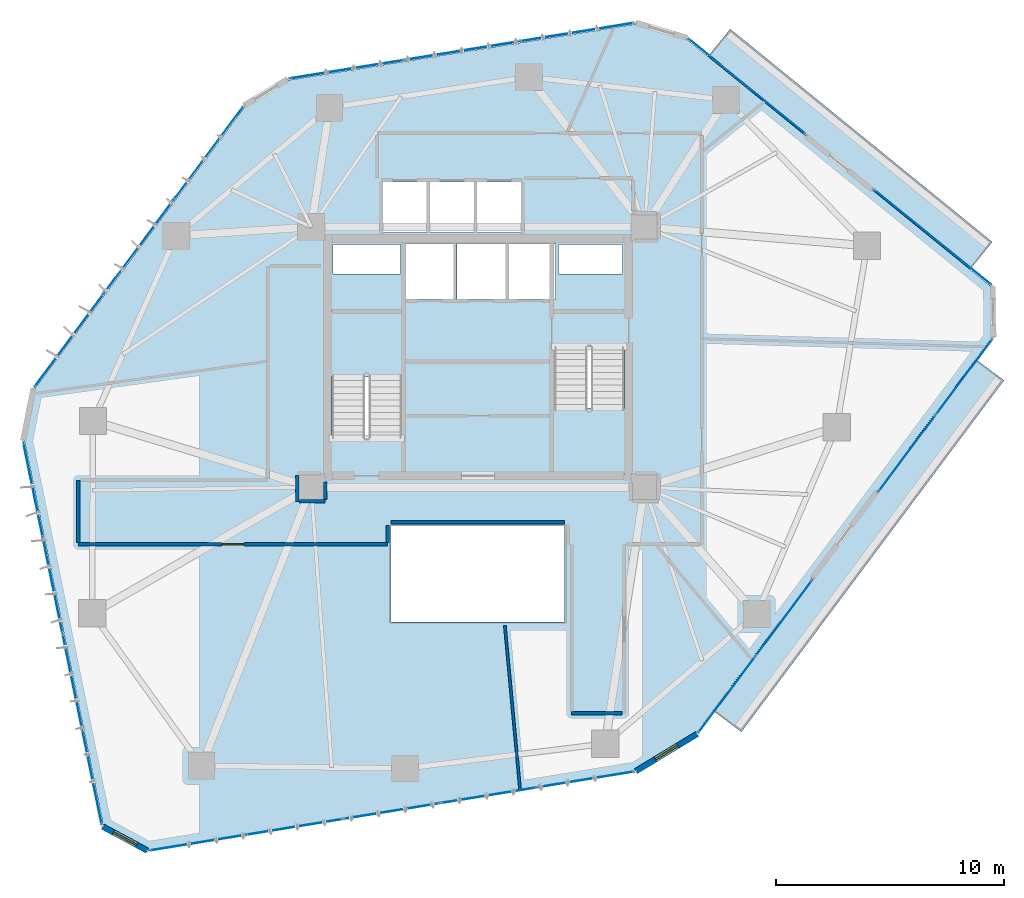
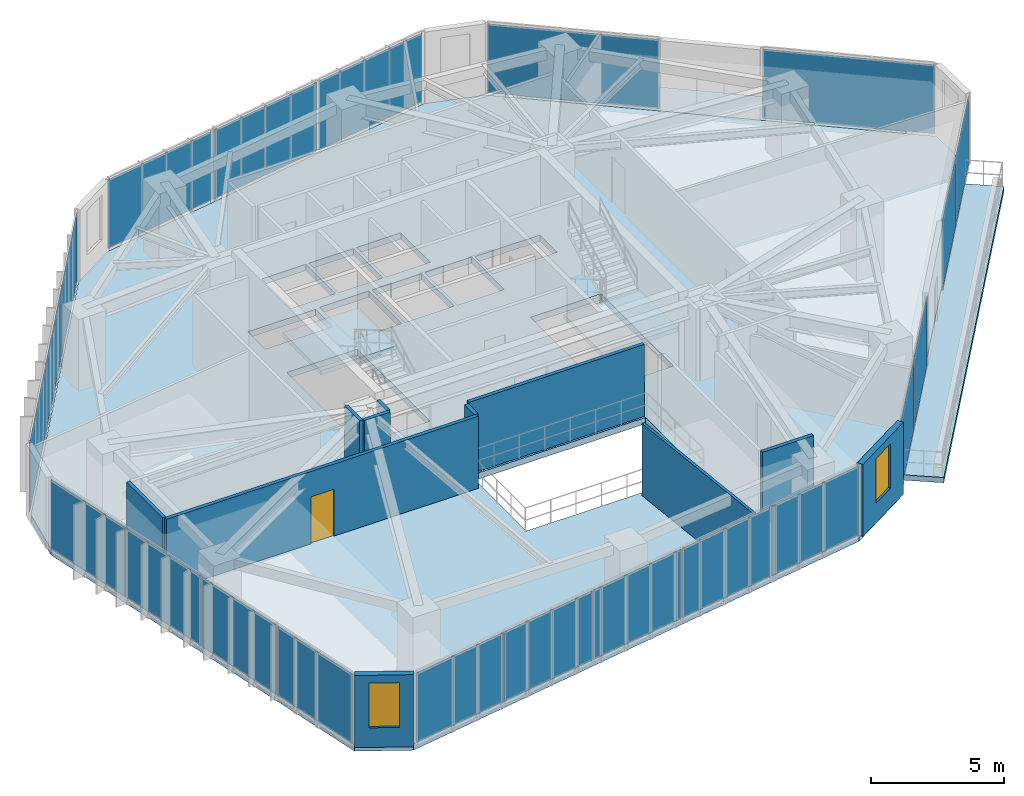
# One storey, part 17 of 23: 21 plates, 11 walls, 5 slabs, 2 windows, 1 door, 3 openings, 10 elements without a shape of their own.
"""IFC4 building model written with IfcOpenShell, lengths in metres."""

from ifc_helpers import new_model, si_unit, direction, frame, frame_2d, origin, origin_2d, place, context, subcontext, project, spatial, polyline, rectangle, outline, extrude, source, transform, mapped, material, layer, layer_set, type_object, type_shapes, element, fill, aggregate, save


model = new_model("IFC4")

# Units and contexts
model_context = context("Model", 3, precision=1e-05, world=origin(), true_north=direction((0.0, 1.0)))
body_context = subcontext(model_context, "Body", "Model", "MODEL_VIEW")
ifc_project = project(units=[si_unit("LENGTHUNIT", "METRE"), si_unit("AREAUNIT", "SQUARE_METRE"), si_unit("VOLUMEUNIT", "CUBIC_METRE"), si_unit("PLANEANGLEUNIT", "RADIAN"), si_unit("MASSUNIT", "GRAM", prefix="KILO")], contexts=[model_context])

# Site, building, storey
site_placement = place(None, origin())
site = spatial("IfcSite", under=ifc_project, at=site_placement, CompositionType="ELEMENT")
building_placement = place(site_placement, origin())
building = spatial("IfcBuilding", under=site, at=building_placement, Name="Talar Marvaseh", CompositionType="ELEMENT")
storey_placement = place(building_placement, frame((0.0, 0.0, 118.199951171875)))
storey = spatial("IfcBuildingStorey", under=building, at=storey_placement, Name="L30", CompositionType="ELEMENT", Elevation=118.199951171875)

# Slabs
ifc_material_1 = material(Name="Concrete C40/50", Category="concrete")
ifc_layer_1 = layer(ifc_material_1, 0.2451171875)
ifc_layer_set_1 = layer_set([ifc_layer_1], Name="Concrete C40/50")
slab_type_1 = type_object("IfcSlabType", Name="External Cantilevered Planted Terrace Slab 245", PredefinedType="FLOOR", material=ifc_layer_set_1)
slab_1_placement = place(storey_placement, frame((0.0, 0.0, -0.244873046875)))
element("IfcSlab", 1, at=slab_1_placement, inside=storey, type_object=slab_type_1, Name="L30 Planted Balcony Terrace 1", PredefinedType="FLOOR", context=body_context, shape_type="SweptSolid", body=[
    extrude(outline(polyline([(36.076171875, 44.37060546875), (47.555908203125, 35.042724609375), (48.533203125, 36.24560546875), (37.0537109375, 45.57373046875), (36.076171875, 44.37060546875)])), origin(), (0.0, 0.0, 1.0), 0.244873046875),
])
slab_2_placement = place(storey_placement, frame((0.0, 0.0, -0.244873046875)))
element("IfcSlab", 2, at=slab_2_placement, inside=storey, type_object=slab_type_1, Name="L30 Planted Balcony Terrace 2", PredefinedType="FLOOR", context=body_context, shape_type="SweptSolid", body=[
    extrude(outline(polyline([(47.80078125, 31.1083984375), (36.300048828125, 15.7119140625), (37.541748046875, 14.7841796875), (49.042724609375, 30.1806640625), (47.80078125, 31.1083984375)])), origin(), (0.0, 0.0, 1.0), 0.244873046875),
])

# Stair, slab
stair_type = type_object("IfcStairType", Name="Reinforced Concrete Half-Turn Exit Stair Type B", PredefinedType="HALF_TURN_STAIR", material=ifc_material_1)
stair_1_placement = place(storey_placement, origin())
stair_1 = element("IfcStair", 3, at=stair_1_placement, inside=storey, type_object=stair_type, Name="L30 Tower West Core Exit Stair", PredefinedType="HALF_TURN_STAIR")
ifc_layer_2 = layer(ifc_material_1, 0.199951171875)
ifc_layer_set_2 = layer_set([ifc_layer_2], Name="Concrete C40/50")
slab_type_2 = type_object("IfcSlabType", Name="Reinforced Concrete Stair Half-Landing Slab 200", PredefinedType="LANDING", material=ifc_layer_set_2)
slab_3_placement = place(storey_placement, frame((0.0, 0.0, 1.60009765625)))
slab_3 = element("IfcSlab", 4, at=slab_3_placement, type_object=slab_type_2, Name="ST-1 landing 1", PredefinedType="LANDING", context=body_context, shape_type="SweptSolid", body=[
    extrude(outline(polyline([(22.780029296875, 30.330078125), (22.780029296875, 33.219970703125), (19.47998046875, 33.219970703125), (19.47998046875, 30.330078125), (22.780029296875, 30.330078125)])), origin(), (0.0, 0.0, 1.0), 0.199951171875),
])
aggregate(stair_1, [slab_3])

stair_2_placement = place(storey_placement, origin())
stair_2 = element("IfcStair", 5, at=stair_2_placement, inside=storey, type_object=stair_type, Name="L30 Tower East Core Exit Stair", PredefinedType="HALF_TURN_STAIR")
slab_4_placement = place(storey_placement, frame((0.0, 0.0, 1.60009765625)))
slab_4 = element("IfcSlab", 6, at=slab_4_placement, type_object=slab_type_2, Name="ST-2 landing 1", PredefinedType="LANDING", context=body_context, shape_type="SweptSolid", body=[
    extrude(outline(polyline([(29.219970703125, 28.969970703125), (29.219970703125, 26.080078125), (32.52001953125, 26.080078125), (32.52001953125, 28.969970703125), (29.219970703125, 28.969970703125)])), origin(), (0.0, 0.0, 1.0), 0.199951171875),
])
aggregate(stair_2, [slab_4])

# Slab
ifc_layer_3 = layer(ifc_material_1, 0.2900390625)
ifc_layer_set_3 = layer_set([ifc_layer_3], Name="Concrete C40/50")
slab_type_3 = type_object("IfcSlabType", Name="Structural Suspended Floor Slab 290", PredefinedType="FLOOR", material=ifc_layer_set_3)
slab_5_placement = place(storey_placement, frame((0.0, 0.0, -0.2900390625)))
element("IfcSlab", 7, at=slab_5_placement, inside=storey, type_object=slab_type_3, Name="L30 Tower Floor Slab", PredefinedType="FLOOR", context=body_context, shape_type="SweptSolid", body=[
    extrude(outline(polyline([(11.548583984375, 9.635498046875), (9.597412109375, 10.68701171875), (6.1416015625, 27.52783203125), (6.59326171875, 29.82470703125), (15.786865234375, 42.1669921875), (17.706298828125, 43.33154296875), (32.899169921875, 45.787353515625), (35.14501953125, 45.12744140625), (48.487060546875, 34.285888671875), (48.51904296875, 32.069580078125), (35.581787109375, 14.75048828125), (32.884521484375, 13.113525390625), (11.548583984375, 9.635498046875)]), holes=[polyline([(22.659912109375, 27.64990234375), (22.659912109375, 33.10009765625), (19.60009765625, 33.10009765625), (19.60009765625, 27.64990234375), (22.659912109375, 27.64990234375)]), polyline([(29.340087890625, 31.64990234375), (29.340087890625, 26.199951171875), (32.39990234375, 26.199951171875), (32.39990234375, 31.64990234375), (29.340087890625, 31.64990234375)]), polyline([(22.800048828125, 33.719970703125), (24.93994140625, 33.719970703125), (24.93994140625, 36.179931640625), (22.800048828125, 36.179931640625), (22.800048828125, 33.719970703125)]), polyline([(25.080078125, 33.719970703125), (27.219970703125, 33.719970703125), (27.219970703125, 36.179931640625), (25.080078125, 36.179931640625), (25.080078125, 33.719970703125)]), polyline([(27.360107421875, 33.719970703125), (29.39990234375, 33.719970703125), (29.39990234375, 36.179931640625), (27.360107421875, 36.179931640625), (27.360107421875, 33.719970703125)]), polyline([(21.840087890625, 36.659912109375), (23.760009765625, 36.659912109375), (23.760009765625, 38.8798828125), (21.840087890625, 38.8798828125), (21.840087890625, 36.659912109375)]), polyline([(23.89990234375, 36.659912109375), (25.820068359375, 36.659912109375), (25.820068359375, 38.8798828125), (23.89990234375, 38.8798828125), (23.89990234375, 36.659912109375)]), polyline([(25.9599609375, 36.659912109375), (27.8798828125, 36.659912109375), (27.8798828125, 38.8798828125), (25.9599609375, 38.8798828125), (25.9599609375, 36.659912109375)]), polyline([(19.659912109375, 34.840087890625), (22.60009765625, 34.840087890625), (22.60009765625, 36.139892578125), (19.659912109375, 36.139892578125), (19.659912109375, 34.840087890625)]), polyline([(29.52001953125, 34.840087890625), (32.340087890625, 34.840087890625), (32.340087890625, 36.139892578125), (29.52001953125, 36.139892578125), (29.52001953125, 34.840087890625)]), polyline([(22.199951171875, 19.60009765625), (29.800048828125, 19.60009765625), (29.800048828125, 23.800048828125), (22.199951171875, 23.800048828125), (22.199951171875, 19.60009765625)])]), origin(), (0.0, 0.0, 1.0), 0.2900390625),
])

# Curtain wall, plates
ifc_material_2 = material(Name="Architectural Aluminium", Category="aluminium")
ifc_layer_4 = layer(ifc_material_2, 0.199951171875)
ifc_layer_set_4 = layer_set([ifc_layer_4], Name="Architectural Aluminium")
curtain_wall_type = type_object("IfcCurtainWallType", Name="Unitised Acoustic Library Curtain Wall Z2", PredefinedType="NOTDEFINED", material=ifc_layer_set_4)
curtain_wall_1_placement = place(storey_placement, origin())
curtain_wall_1 = element("IfcCurtainWall", 8, at=curtain_wall_1_placement, inside=storey, type_object=curtain_wall_type, Name="L30 Unitised Acoustic Library Curtain Wall Z2", PredefinedType="NOTDEFINED")
ifc_material_3 = material(Name="Laminated Low-E Solar Glass", Category="glass")
ifc_layer_5 = layer(ifc_material_3, 0.028076171875)
ifc_layer_set_5 = layer_set([ifc_layer_5], Name="Laminated Low-E Solar Glass")
plate_type = type_object("IfcPlateType", Name="Double-Glazed Low-E Vision Curtain Panel 28", PredefinedType="CURTAIN_PANEL", material=ifc_layer_set_5)
shared_shape_1 = source(origin(), body_context, "Body", "SweptSolid", [
    extrude(rectangle(XDim=4.185302734375, YDim=0.028076171875, at=origin_2d()), origin(), (0.0, 0.0, 1.0), 3.159912109375),
])
plate_1_placement = place(storey_placement, frame((9.102783203125, 12.79833984375, 0.0751953125), z_axis=(0.0, 0.0, 1.0), x_axis=(-0.201010983182, 0.979588987607, 0.0)))
plate_1 = element("IfcPlate", 9, at=plate_1_placement, type_object=plate_type, Name="CW-Z2 panel 1.1", PredefinedType="CURTAIN_PANEL", context=body_context, shape_type="MappedRepresentation", body=[
    mapped(shared_shape_1, transform((0.0, 0.0, 0.0), x_axis=(1.0, 0.0, 0.0), y_axis=(0.0, 1.0, 0.0), z_axis=(0.0, 0.0, 1.0), scale=1.0)),
])
plate_2_placement = place(storey_placement, frame((6.5185546875, 25.392333984375, 0.0751953125), z_axis=(0.0, 0.0, 1.0), x_axis=(-0.201010983182, 0.979588987607, 0.0)))
plate_2 = element("IfcPlate", 10, at=plate_2_placement, type_object=plate_type, Name="CW-Z2 panel 4.1", PredefinedType="CURTAIN_PANEL", context=body_context, shape_type="MappedRepresentation", body=[
    mapped(shared_shape_1, transform((0.0, 0.0, 0.0), x_axis=(1.0, 0.0, 0.0), y_axis=(0.0, 1.0, 0.0), z_axis=(0.0, 0.0, 1.0), scale=1.0)),
])
shared_shape_2 = source(origin(), body_context, "Body", "SweptSolid", [
    extrude(rectangle(XDim=4.222900390625, YDim=0.028076171875, at=origin_2d()), origin(), (0.0, 0.0, 1.0), 3.159912109375),
])
plate_3_placement = place(storey_placement, frame((8.24267578125, 16.990234375, 0.0751953125), z_axis=(0.0, 0.0, 1.0), x_axis=(-0.201010983182, 0.979588987607, 0.0)))
plate_3 = element("IfcPlate", 11, at=plate_3_placement, type_object=plate_type, Name="CW-Z2 panel 2.1", PredefinedType="CURTAIN_PANEL", context=body_context, shape_type="MappedRepresentation", body=[
    mapped(shared_shape_2, transform((0.0, 0.0, 0.0), x_axis=(1.0, 0.0, 0.0), y_axis=(0.0, 1.0, 0.0), z_axis=(0.0, 0.0, 1.0), scale=1.0)),
])
plate_4_placement = place(storey_placement, frame((7.378662109375, 21.200439453125, 0.0751953125), z_axis=(0.0, 0.0, 1.0), x_axis=(-0.201010983182, 0.979588987607, 0.0)))
plate_4 = element("IfcPlate", 12, at=plate_4_placement, type_object=plate_type, Name="CW-Z2 panel 3.1", PredefinedType="CURTAIN_PANEL", context=body_context, shape_type="MappedRepresentation", body=[
    mapped(shared_shape_2, transform((0.0, 0.0, 0.0), x_axis=(1.0, 0.0, 0.0), y_axis=(0.0, 1.0, 0.0), z_axis=(0.0, 0.0, 1.0), scale=1.0)),
])
aggregate(curtain_wall_1, [plate_1, plate_3, plate_4, plate_2])

curtain_wall_2_placement = place(storey_placement, origin())
curtain_wall_2 = element("IfcCurtainWall", 13, at=curtain_wall_2_placement, inside=storey, type_object=curtain_wall_type, Name="L30 Unitised Acoustic Library Curtain Wall Z2", PredefinedType="NOTDEFINED")
shared_shape_3 = source(origin(), body_context, "Body", "SweptSolid", [
    extrude(rectangle(XDim=5.017578125, YDim=0.028076171875, at=origin_2d()), origin(), (0.0, 0.0, 1.0), 3.159912109375),
])
plate_5_placement = place(storey_placement, frame((8.088623046875, 31.932373046875, 0.0751953125), z_axis=(0.0, 0.0, 1.0), x_axis=(0.597375881697, 0.801961380596, 0.0)))
plate_5 = element("IfcPlate", 14, at=plate_5_placement, type_object=plate_type, Name="CW-Z2 panel 1.1", PredefinedType="CURTAIN_PANEL", context=body_context, shape_type="MappedRepresentation", body=[
    mapped(shared_shape_3, transform((0.0, 0.0, 0.0), x_axis=(1.0, 0.0, 0.0), y_axis=(0.0, 1.0, 0.0), z_axis=(0.0, 0.0, 1.0), scale=1.0)),
])
plate_6_placement = place(storey_placement, frame((14.1953125, 40.130615234375, 0.0751953125), z_axis=(0.0, 0.0, 1.0), x_axis=(0.597375881697, 0.801961380596, 0.0)))
plate_6 = element("IfcPlate", 15, at=plate_6_placement, type_object=plate_type, Name="CW-Z2 panel 3.1", PredefinedType="CURTAIN_PANEL", context=body_context, shape_type="MappedRepresentation", body=[
    mapped(shared_shape_3, transform((0.0, 0.0, 0.0), x_axis=(1.0, 0.0, 0.0), y_axis=(0.0, 1.0, 0.0), z_axis=(0.0, 0.0, 1.0), scale=1.0)),
])

curtain_wall_3_placement = place(storey_placement, origin())
curtain_wall_3 = element("IfcCurtainWall", 16, at=curtain_wall_3_placement, inside=storey, type_object=curtain_wall_type, Name="L30 Unitised Acoustic Library Curtain Wall Z2", PredefinedType="NOTDEFINED")
plate_7_placement = place(storey_placement, frame((20.247314453125, 43.802978515625, 0.0751953125), z_axis=(0.0, 0.0, 1.0), x_axis=(0.987186597079, 0.159570117963, 0.0)))
plate_7 = element("IfcPlate", 17, at=plate_7_placement, type_object=plate_type, Name="CW-Z2 panel 1.1", PredefinedType="CURTAIN_PANEL", context=body_context, shape_type="MappedRepresentation", body=[
    mapped(shared_shape_3, transform((0.0, 0.0, 0.0), x_axis=(1.0, 0.0, 0.0), y_axis=(0.0, 1.0, 0.0), z_axis=(0.0, 0.0, 1.0), scale=1.0)),
])
plate_8_placement = place(storey_placement, frame((30.3388671875, 45.434326171875, 0.0751953125), z_axis=(0.0, 0.0, 1.0), x_axis=(0.987186597079, 0.159570117963, 0.0)))
plate_8 = element("IfcPlate", 18, at=plate_8_placement, type_object=plate_type, Name="CW-Z2 panel 3.1", PredefinedType="CURTAIN_PANEL", context=body_context, shape_type="MappedRepresentation", body=[
    mapped(shared_shape_3, transform((0.0, 0.0, 0.0), x_axis=(1.0, 0.0, 0.0), y_axis=(0.0, 1.0, 0.0), z_axis=(0.0, 0.0, 1.0), scale=1.0)),
])

# Plate
shared_shape_4 = source(origin(), body_context, "Body", "SweptSolid", [
    extrude(rectangle(XDim=5.054931640625, YDim=0.028076171875, at=origin_2d()), origin(), (0.0, 0.0, 1.0), 3.159912109375),
])
plate_9_placement = place(storey_placement, frame((11.141845703125, 36.031494140625, 0.0751953125), z_axis=(0.0, 0.0, 1.0), x_axis=(0.597375881697, 0.801961380596, 0.0)))
plate_9 = element("IfcPlate", 19, at=plate_9_placement, type_object=plate_type, Name="CW-Z2 panel 2.1", PredefinedType="CURTAIN_PANEL", context=body_context, shape_type="MappedRepresentation", body=[
    mapped(shared_shape_4, transform((0.0, 0.0, 0.0), x_axis=(1.0, 0.0, 0.0), y_axis=(0.0, 1.0, 0.0), z_axis=(0.0, 0.0, 1.0), scale=1.0)),
])

aggregate(curtain_wall_2, [plate_5, plate_9, plate_6])

plate_10_placement = place(storey_placement, frame((25.29296875, 44.61865234375, 0.0751953125), z_axis=(0.0, 0.0, 1.0), x_axis=(0.987186597079, 0.159570117963, 0.0)))
plate_10 = element("IfcPlate", 20, at=plate_10_placement, type_object=plate_type, Name="CW-Z2 panel 2.1", PredefinedType="CURTAIN_PANEL", context=body_context, shape_type="MappedRepresentation", body=[
    mapped(shared_shape_4, transform((0.0, 0.0, 0.0), x_axis=(1.0, 0.0, 0.0), y_axis=(0.0, 1.0, 0.0), z_axis=(0.0, 0.0, 1.0), scale=1.0)),
])

aggregate(curtain_wall_3, [plate_7, plate_10, plate_8])

# Curtain wall, plates
curtain_wall_4_placement = place(storey_placement, origin())
curtain_wall_4 = element("IfcCurtainWall", 21, at=curtain_wall_4_placement, inside=storey, type_object=curtain_wall_type, Name="L30 Unitised Acoustic Library Curtain Wall Z2", PredefinedType="NOTDEFINED")
shared_shape_5 = source(origin(), body_context, "Body", "SweptSolid", [
    extrude(rectangle(XDim=4.2109375, YDim=0.028076171875, at=origin_2d()), origin(), (0.0, 0.0, 1.0), 3.159912109375),
])
plate_11_placement = place(storey_placement, frame((30.7421875, 12.70361328125, 0.0751953125), z_axis=(0.0, 0.0, 1.0), x_axis=(-0.986972050283, -0.160891802029, 0.0)))
plate_11 = element("IfcPlate", 22, at=plate_11_placement, type_object=plate_type, Name="CW-Z2 panel 1.1", PredefinedType="CURTAIN_PANEL", context=body_context, shape_type="MappedRepresentation", body=[
    mapped(shared_shape_5, transform((0.0, 0.0, 0.0), x_axis=(1.0, 0.0, 0.0), y_axis=(0.0, 1.0, 0.0), z_axis=(0.0, 0.0, 1.0), scale=1.0)),
])
plate_12_placement = place(storey_placement, frame((13.710205078125, 9.92724609375, 0.0751953125), z_axis=(0.0, 0.0, 1.0), x_axis=(-0.986972050283, -0.160891802029, 0.0)))
plate_12 = element("IfcPlate", 23, at=plate_12_placement, type_object=plate_type, Name="CW-Z2 panel 5.1", PredefinedType="CURTAIN_PANEL", context=body_context, shape_type="MappedRepresentation", body=[
    mapped(shared_shape_5, transform((0.0, 0.0, 0.0), x_axis=(1.0, 0.0, 0.0), y_axis=(0.0, 1.0, 0.0), z_axis=(0.0, 0.0, 1.0), scale=1.0)),
])
shared_shape_6 = source(origin(), body_context, "Body", "SweptSolid", [
    extrude(rectangle(XDim=4.24853515625, YDim=0.028076171875, at=origin_2d()), origin(), (0.0, 0.0, 1.0), 3.159912109375),
])
plate_13_placement = place(storey_placement, frame((26.493408203125, 12.010986328125, 0.0751953125), z_axis=(0.0, 0.0, 1.0), x_axis=(-0.986972050283, -0.160891802029, 0.0)))
plate_13 = element("IfcPlate", 24, at=plate_13_placement, type_object=plate_type, Name="CW-Z2 panel 2.1", PredefinedType="CURTAIN_PANEL", context=body_context, shape_type="MappedRepresentation", body=[
    mapped(shared_shape_6, transform((0.0, 0.0, 0.0), x_axis=(1.0, 0.0, 0.0), y_axis=(0.0, 1.0, 0.0), z_axis=(0.0, 0.0, 1.0), scale=1.0)),
])
plate_14_placement = place(storey_placement, frame((22.226318359375, 11.3154296875, 0.0751953125), z_axis=(0.0, 0.0, 1.0), x_axis=(-0.986972050283, -0.160891802029, 0.0)))
plate_14 = element("IfcPlate", 25, at=plate_14_placement, type_object=plate_type, Name="CW-Z2 panel 3.1", PredefinedType="CURTAIN_PANEL", context=body_context, shape_type="MappedRepresentation", body=[
    mapped(shared_shape_6, transform((0.0, 0.0, 0.0), x_axis=(1.0, 0.0, 0.0), y_axis=(0.0, 1.0, 0.0), z_axis=(0.0, 0.0, 1.0), scale=1.0)),
])
plate_15_placement = place(storey_placement, frame((17.958984375, 10.61962890625, 0.0751953125), z_axis=(0.0, 0.0, 1.0), x_axis=(-0.986972050283, -0.160891802029, 0.0)))
plate_15 = element("IfcPlate", 26, at=plate_15_placement, type_object=plate_type, Name="CW-Z2 panel 4.1", PredefinedType="CURTAIN_PANEL", context=body_context, shape_type="MappedRepresentation", body=[
    mapped(shared_shape_6, transform((0.0, 0.0, 0.0), x_axis=(1.0, 0.0, 0.0), y_axis=(0.0, 1.0, 0.0), z_axis=(0.0, 0.0, 1.0), scale=1.0)),
])
aggregate(curtain_wall_4, [plate_11, plate_13, plate_14, plate_15, plate_12])

curtain_wall_5_placement = place(storey_placement, origin())
curtain_wall_5 = element("IfcCurtainWall", 27, at=curtain_wall_5_placement, inside=storey, type_object=curtain_wall_type, Name="L30 Unitised Acoustic Library Curtain Wall Z2", PredefinedType="NOTDEFINED")
shared_shape_7 = source(origin(), body_context, "Body", "SweptSolid", [
    extrude(rectangle(XDim=4.10302734375, YDim=0.028076171875, at=origin_2d()), origin(), (0.0, 0.0, 1.0), 3.159912109375),
])
plate_16_placement = place(storey_placement, frame((47.29443359375, 30.330078125, 0.0751953125), z_axis=(0.0, 0.0, 1.0), x_axis=(-0.598452190193, -0.801158521176, 0.0)))
plate_16 = element("IfcPlate", 28, at=plate_16_placement, type_object=plate_type, Name="CW-Z2 panel 1.1", PredefinedType="CURTAIN_PANEL", context=body_context, shape_type="MappedRepresentation", body=[
    mapped(shared_shape_7, transform((0.0, 0.0, 0.0), x_axis=(1.0, 0.0, 0.0), y_axis=(0.0, 1.0, 0.0), z_axis=(0.0, 0.0, 1.0), scale=1.0)),
])
plate_17_placement = place(storey_placement, frame((44.794189453125, 26.98291015625, 0.0751953125), z_axis=(0.0, 0.0, 1.0), x_axis=(-0.598452190193, -0.801158521176, 0.0)))
plate_17 = element("IfcPlate", 29, at=plate_17_placement, type_object=plate_type, Name="CW-Z2 panel 2.1", PredefinedType="CURTAIN_PANEL", context=body_context, shape_type="MappedRepresentation", body=[
    mapped(shared_shape_7, transform((0.0, 0.0, 0.0), x_axis=(1.0, 0.0, 0.0), y_axis=(0.0, 1.0, 0.0), z_axis=(0.0, 0.0, 1.0), scale=1.0)),
])
aggregate(curtain_wall_5, [plate_16, plate_17])

curtain_wall_6_placement = place(storey_placement, origin())
curtain_wall_6 = element("IfcCurtainWall", 30, at=curtain_wall_6_placement, inside=storey, type_object=curtain_wall_type, Name="L30 Unitised Acoustic Library Curtain Wall Z2", PredefinedType="NOTDEFINED")
plate_18_placement = place(storey_placement, frame((39.40283203125, 19.765380859375, 0.0751953125), z_axis=(0.0, 0.0, 1.0), x_axis=(-0.598452190193, -0.801158521176, 0.0)))
plate_18 = element("IfcPlate", 31, at=plate_18_placement, type_object=plate_type, Name="CW-Z2 panel 1.1", PredefinedType="CURTAIN_PANEL", context=body_context, shape_type="MappedRepresentation", body=[
    mapped(shared_shape_7, transform((0.0, 0.0, 0.0), x_axis=(1.0, 0.0, 0.0), y_axis=(0.0, 1.0, 0.0), z_axis=(0.0, 0.0, 1.0), scale=1.0)),
])
plate_19_placement = place(storey_placement, frame((36.902587890625, 16.418212890625, 0.0751953125), z_axis=(0.0, 0.0, 1.0), x_axis=(-0.598452190193, -0.801158521176, 0.0)))
plate_19 = element("IfcPlate", 32, at=plate_19_placement, type_object=plate_type, Name="CW-Z2 panel 2.1", PredefinedType="CURTAIN_PANEL", context=body_context, shape_type="MappedRepresentation", body=[
    mapped(shared_shape_7, transform((0.0, 0.0, 0.0), x_axis=(1.0, 0.0, 0.0), y_axis=(0.0, 1.0, 0.0), z_axis=(0.0, 0.0, 1.0), scale=1.0)),
])
aggregate(curtain_wall_6, [plate_18, plate_19])

# Curtain wall, plate
curtain_wall_7_placement = place(storey_placement, origin())
curtain_wall_7 = element("IfcCurtainWall", 33, at=curtain_wall_7_placement, inside=storey, type_object=curtain_wall_type, Name="L30 Unitised Acoustic Library Curtain Wall Z2", PredefinedType="NOTDEFINED")
shared_shape_8 = source(origin(), body_context, "Body", "SweptSolid", [
    extrude(rectangle(XDim=6.5546875, YDim=0.028076171875, at=origin_2d()), origin(), (0.0, 0.0, 1.0), 3.159912109375),
])
type_shapes(plate_type, [shared_shape_1, shared_shape_2, shared_shape_3, shared_shape_4, shared_shape_5, shared_shape_6, shared_shape_7, shared_shape_8])
plate_20_placement = place(storey_placement, frame((37.784423828125, 43.06005859375, 0.0751953125), z_axis=(0.0, 0.0, 1.0), x_axis=(0.776087995183, -0.630624629818, 0.0)))
plate_20 = element("IfcPlate", 34, at=plate_20_placement, type_object=plate_type, Name="CW-Z2 panel 1.1", PredefinedType="CURTAIN_PANEL", context=body_context, shape_type="MappedRepresentation", body=[
    mapped(shared_shape_8, transform((0.0, 0.0, 0.0), x_axis=(1.0, 0.0, 0.0), y_axis=(0.0, 1.0, 0.0), z_axis=(0.0, 0.0, 1.0), scale=1.0)),
])
aggregate(curtain_wall_7, [plate_20])

curtain_wall_8_placement = place(storey_placement, origin())
curtain_wall_8 = element("IfcCurtainWall", 35, at=curtain_wall_8_placement, inside=storey, type_object=curtain_wall_type, Name="L30 Unitised Acoustic Library Curtain Wall Z2", PredefinedType="NOTDEFINED")
plate_21_placement = place(storey_placement, frame((45.923095703125, 36.44677734375, 0.0751953125), z_axis=(0.0, 0.0, 1.0), x_axis=(0.776087995183, -0.630624629818, 0.0)))
plate_21 = element("IfcPlate", 36, at=plate_21_placement, type_object=plate_type, Name="CW-Z2 panel 1.1", PredefinedType="CURTAIN_PANEL", context=body_context, shape_type="MappedRepresentation", body=[
    mapped(shared_shape_8, transform((0.0, 0.0, 0.0), x_axis=(1.0, 0.0, 0.0), y_axis=(0.0, 1.0, 0.0), z_axis=(0.0, 0.0, 1.0), scale=1.0)),
])
aggregate(curtain_wall_8, [plate_21])

# Wall, opening, window
ifc_material_4 = material(Name="Precast concrete C45/55", Category="concrete")
ifc_layer_6 = layer(ifc_material_4, 0.2548828125)
ifc_layer_set_6 = layer_set([ifc_layer_6], Name="Precast concrete C45/55")
wall_type_1 = type_object("IfcWallType", Name="Chamfered Hexagonal Corner Pier Wall Z2 255", PredefinedType="SOLIDWALL", material=ifc_layer_set_6)
wall_1_placement = place(storey_placement, frame((11.52001953125, 9.582763671875, 0.0), z_axis=(0.0, 0.0, 1.0), x_axis=(-0.88030481289, 0.474408512152, 0.0)))
wall_1 = element("IfcWall", 37, at=wall_1_placement, inside=storey, type_object=wall_type_1, Name="L30 Chamfered Corner Limestone Pier 1", PredefinedType="SOLIDWALL", context=body_context, shape_type="SweptSolid", body=[
    extrude(rectangle(XDim=2.216552734375, YDim=0.2548828125, at=frame_2d((1.1083984375, 0.0))), origin(), (0.0, 0.0, 1.0), 3.31005859375),
])
opening_1_placement = place(wall_1_placement, frame((0.532958984375, 0.0, 0.89990234375)))
opening_1 = element("IfcOpeningElement", 38, at=opening_1_placement, cuts=wall_1, Name="Opening WN-CHM11", PredefinedType="OPENING", context=body_context, shape_type="SweptSolid", body=[
    extrude(rectangle(XDim=1.14990234375, YDim=2.050048828125, at=frame_2d((0.574951171875, 1.02490234375))), frame((0.0, 0.137451171875, 0.0), z_axis=(0.0, -1.0, 0.0), x_axis=(1.0, 0.0, 0.0)), (0.0, 0.0, 1.0), 0.27490234375),
])
window_type = type_object("IfcWindowType", Name="Zone 2 Chamfered Corner Slot Window 1150x2050", PartitioningType="SINGLE_PANEL", PredefinedType="WINDOW", material=ifc_material_3)
shared_shape_9 = source(origin(), body_context, "Body", "SweptSolid", [
    extrude(rectangle(XDim=1.14990234375, YDim=2.050048828125, at=frame_2d((0.574951171875, 1.02490234375))), frame((0.0, 0.030029296875, 0.0), z_axis=(0.0, -1.0, 0.0), x_axis=(1.0, 0.0, 0.0)), (0.0, 0.0, 1.0), 0.06005859375),
])
type_shapes(window_type, [shared_shape_9])
window_1_placement = place(opening_1_placement, origin())
window_1 = element("IfcWindow", 39, at=window_1_placement, inside=storey, type_object=window_type, Name="L30 Chamfered Corner Slot Window", OverallHeight=2.050048828125, OverallWidth=1.14990234375, PartitioningType="SINGLE_PANEL", PredefinedType="WINDOW", context=body_context, shape_type="MappedRepresentation", body=[
    mapped(shared_shape_9, transform((0.0, 0.0, 0.0), x_axis=(1.0, 0.0, 0.0), y_axis=(0.0, 1.0, 0.0), z_axis=(0.0, 0.0, 1.0), scale=1.0)),
])
fill(opening_1, window_1)

wall_2_placement = place(storey_placement, frame((35.613037109375, 14.69921875, 0.0), z_axis=(0.0, 0.0, 1.0), x_axis=(-0.854901499953, -0.518790348193, 0.0)))
wall_2 = element("IfcWall", 40, at=wall_2_placement, inside=storey, type_object=wall_type_1, Name="L30 Chamfered Corner Limestone Pier 6", PredefinedType="SOLIDWALL", context=body_context, shape_type="SweptSolid", body=[
    extrude(rectangle(XDim=3.1552734375, YDim=0.2548828125, at=frame_2d((1.57763671875, 0.0))), origin(), (0.0, 0.0, 1.0), 3.31005859375),
])
opening_2_placement = place(wall_2_placement, frame((1.0029296875, 0.0, 0.89990234375)))
opening_2 = element("IfcOpeningElement", 41, at=opening_2_placement, cuts=wall_2, Name="Opening WN-CHM11", PredefinedType="OPENING", context=body_context, shape_type="SweptSolid", body=[
    extrude(rectangle(XDim=1.14990234375, YDim=2.050048828125, at=frame_2d((0.574951171875, 1.02490234375))), frame((0.0, 0.137451171875, 0.0), z_axis=(0.0, -1.0, 0.0), x_axis=(1.0, 0.0, 0.0)), (0.0, 0.0, 1.0), 0.27490234375),
])
window_2_placement = place(opening_2_placement, origin())
window_2 = element("IfcWindow", 42, at=window_2_placement, inside=storey, type_object=window_type, Name="L30 Chamfered Corner Slot Window", OverallHeight=2.050048828125, OverallWidth=1.14990234375, PartitioningType="SINGLE_PANEL", PredefinedType="WINDOW", context=body_context, shape_type="MappedRepresentation", body=[
    mapped(shared_shape_9, transform((0.0, 0.0, 0.0), x_axis=(1.0, 0.0, 0.0), y_axis=(0.0, 1.0, 0.0), z_axis=(0.0, 0.0, 1.0), scale=1.0)),
])
fill(opening_2, window_2)

# Wall, opening, door
ifc_material_5 = material(Name="Gypsum Board Partition Assembly")
ifc_layer_7 = layer(ifc_material_5, 0.155029296875)
ifc_layer_set_7 = layer_set([ifc_layer_7], Name="Gypsum Board Partition Assembly")
wall_type_2 = type_object("IfcWallType", Name="Corridor Fire-Rated Acoustic Partition 155", PredefinedType="PARTITIONING", material=ifc_layer_set_7)
wall_3_placement = place(storey_placement, frame((22.0400390625, 23.0, 0.0), z_axis=(0.0, 0.0, 1.0), x_axis=(-1.0, 0.0, 0.0)))
wall_3 = element("IfcWall", 43, at=wall_3_placement, inside=storey, type_object=wall_type_2, Name="L30 Interior Partition Wall", PredefinedType="PARTITIONING", context=body_context, shape_type="SweptSolid", body=[
    extrude(rectangle(XDim=13.5400390625, YDim=0.155029296875, at=frame_2d((6.77001953125, 0.0))), origin(), (0.0, 0.0, 1.0), 3.31005859375),
])
opening_3_placement = place(wall_3_placement, frame((6.27001953125, 0.0, 0.0)))
opening_3 = element("IfcOpeningElement", 44, at=opening_3_placement, cuts=wall_3, Name="Opening DR-RM100", PredefinedType="OPENING", context=body_context, shape_type="SweptSolid", body=[
    extrude(rectangle(XDim=1.0, YDim=2.14990234375, at=frame_2d((0.5, 1.074951171875))), frame((0.0, 0.08740234375, 0.0), z_axis=(0.0, -1.0, 0.0), x_axis=(1.0, 0.0, 0.0)), (0.0, 0.0, 1.0), 0.175048828125),
])
ifc_material_6 = material(Name="Acoustic Engineered Oak Timber", Category="wood")
door_type = type_object("IfcDoorType", Name="Corridor Fire-Rated Gallery Door 1000x2150", OperationType="NOTDEFINED", PredefinedType="DOOR", material=ifc_material_6)
shared_shape_10 = source(origin(), body_context, "Body", "SweptSolid", [
    extrude(rectangle(XDim=1.0, YDim=2.14990234375, at=frame_2d((0.5, 1.074951171875))), frame((0.0, 0.02490234375, 0.0), z_axis=(0.0, -1.0, 0.0), x_axis=(1.0, 0.0, 0.0)), (0.0, 0.0, 1.0), 0.050048828125),
])
type_shapes(door_type, [shared_shape_10])
door_placement = place(opening_3_placement, origin())
door = element("IfcDoor", 45, at=door_placement, inside=storey, type_object=door_type, Name="L30 Curatorial Office Door", OperationType="SINGLE_SWING_LEFT", OverallHeight=2.14990234375, OverallWidth=1.0, PredefinedType="DOOR", context=body_context, shape_type="MappedRepresentation", body=[
    mapped(shared_shape_10, transform((0.0, 0.0, 0.0), x_axis=(1.0, 0.0, 0.0), y_axis=(0.0, 1.0, 0.0), z_axis=(0.0, 0.0, 1.0), scale=1.0)),
])
fill(opening_3, door)

# Walls
wall_4_placement = place(storey_placement, frame((29.800048828125, 23.9599609375, 0.0), z_axis=(0.0, 0.0, 1.0), x_axis=(-0.999999995375, -9.617234e-05, 0.0)))
element("IfcWall", 46, at=wall_4_placement, inside=storey, type_object=wall_type_2, Name="L30 Interior Partition Wall", PredefinedType="PARTITIONING", context=body_context, shape_type="SweptSolid", body=[
    extrude(rectangle(XDim=7.61572265625, YDim=0.155029296875, at=frame_2d((3.807861328125, 0.0))), origin(), (0.0, 0.0, 1.0), 3.31005859375),
])
wall_5_placement = place(storey_placement, frame((22.043212890625, 23.831298828125, 0.0), z_axis=(0.0, 0.0, 1.0), x_axis=(-0.003917697652, -0.999992325793, 0.0)))
element("IfcWall", 47, at=wall_5_placement, inside=storey, type_object=wall_type_2, Name="L30 Interior Partition Wall", PredefinedType="PARTITIONING", context=body_context, shape_type="SweptSolid", body=[
    extrude(rectangle(XDim=0.747802734375, YDim=0.155029296875, at=frame_2d((0.3740234375, 0.0))), origin(), (0.0, 0.0, 1.0), 3.31005859375),
])
wall_6_placement = place(storey_placement, frame((8.5, 23.08349609375, 0.0), z_axis=(0.0, 0.0, 1.0), x_axis=(0.0, 1.0, 0.0)))
element("IfcWall", 48, at=wall_6_placement, inside=storey, type_object=wall_type_2, Name="L30 Interior Partition Wall", PredefinedType="PARTITIONING", context=body_context, shape_type="SweptSolid", body=[
    extrude(rectangle(XDim=2.716552734375, YDim=0.155029296875, at=frame_2d((1.3583984375, 0.0))), origin(), (0.0, 0.0, 1.0), 3.31005859375),
])
wall_7_placement = place(storey_placement, frame((18.088623046875, 26.02587890625, 0.0), z_axis=(0.0, 0.0, 1.0), x_axis=(0.002787893948, -0.999996113816, 0.0)))
element("IfcWall", 49, at=wall_7_placement, inside=storey, type_object=wall_type_2, Name="L30 Interior Partition Wall", PredefinedType="PARTITIONING", context=body_context, shape_type="SweptSolid", body=[
    extrude(rectangle(XDim=1.138427734375, YDim=0.155029296875, at=frame_2d((0.5693359375, 0.0))), origin(), (0.0, 0.0, 1.0), 3.31005859375),
])
wall_8_placement = place(storey_placement, frame((18.17529296875, 24.8876953125, 0.0), z_axis=(0.0, 0.0, 1.0), x_axis=(0.999999791525, 0.000645716611, 0.0)))
element("IfcWall", 50, at=wall_8_placement, inside=storey, type_object=wall_type_2, Name="L30 Interior Partition Wall", PredefinedType="PARTITIONING", context=body_context, shape_type="SweptSolid", body=[
    extrude(rectangle(XDim=1.13427734375, YDim=0.155029296875, at=frame_2d((0.567138671875, 0.0))), origin(), (0.0, 0.0, 1.0), 3.31005859375),
])
wall_9_placement = place(storey_placement, frame((19.31005859375, 24.971923828125, 0.0), z_axis=(0.0, 0.0, 1.0), x_axis=(0.006441090216, 0.999979255963, 0.0)))
element("IfcWall", 51, at=wall_9_placement, inside=storey, type_object=wall_type_2, Name="L30 Interior Partition Wall", PredefinedType="PARTITIONING", context=body_context, shape_type="SweptSolid", body=[
    extrude(rectangle(XDim=0.758056640625, YDim=0.155029296875, at=frame_2d((0.37890625, 0.0))), origin(), (0.0, 0.0, 1.0), 3.31005859375),
])
wall_10_placement = place(storey_placement, frame((32.31640625, 15.60009765625, 0.0), z_axis=(0.0, 0.0, 1.0), x_axis=(-1.0, 0.0, 0.0)))
element("IfcWall", 52, at=wall_10_placement, inside=storey, type_object=wall_type_2, Name="L30 Interior Partition Wall", PredefinedType="PARTITIONING", context=body_context, shape_type="SweptSolid", body=[
    extrude(rectangle(XDim=2.21630859375, YDim=0.155029296875, at=frame_2d((1.108154296875, 0.0))), origin(), (0.0, 0.0, 1.0), 3.31005859375),
])
ifc_layer_8 = layer(ifc_material_5, 0.1201171875)
ifc_layer_set_8 = layer_set([ifc_layer_8], Name="Gypsum Board Partition Assembly")
wall_type_3 = type_object("IfcWallType", Name="Demountable Studio Room Partition 120", PredefinedType="PARTITIONING", material=ifc_layer_set_8)
wall_11_placement = place(storey_placement, frame((27.179931640625, 19.43994140625, 0.0), z_axis=(0.0, 0.0, 1.0), x_axis=(0.092354173819, -0.995726220694, 0.0)))
element("IfcWall", 53, at=wall_11_placement, inside=storey, type_object=wall_type_3, Name="L30 Interior Partition Wall", PredefinedType="PARTITIONING", context=body_context, shape_type="SweptSolid", body=[
    extrude(rectangle(XDim=7.214111328125, YDim=0.1201171875, at=frame_2d((3.60693359375, 0.0))), origin(), (0.0, 0.0, 1.0), 3.31005859375),
])

save(model, "model.ifc")
